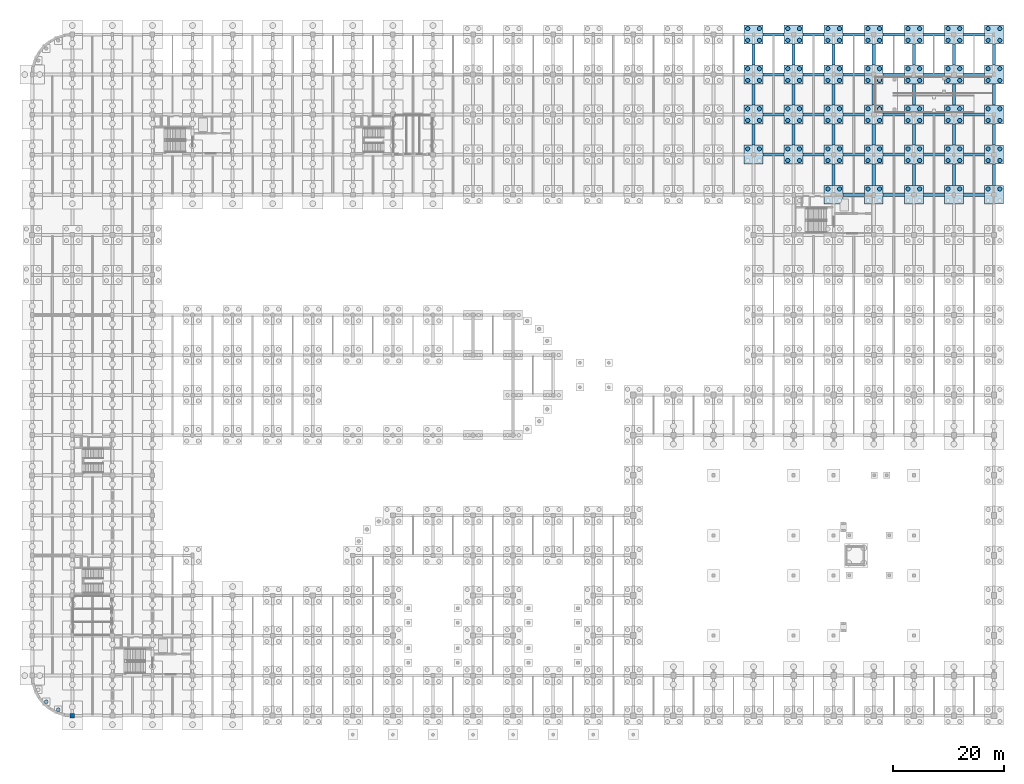
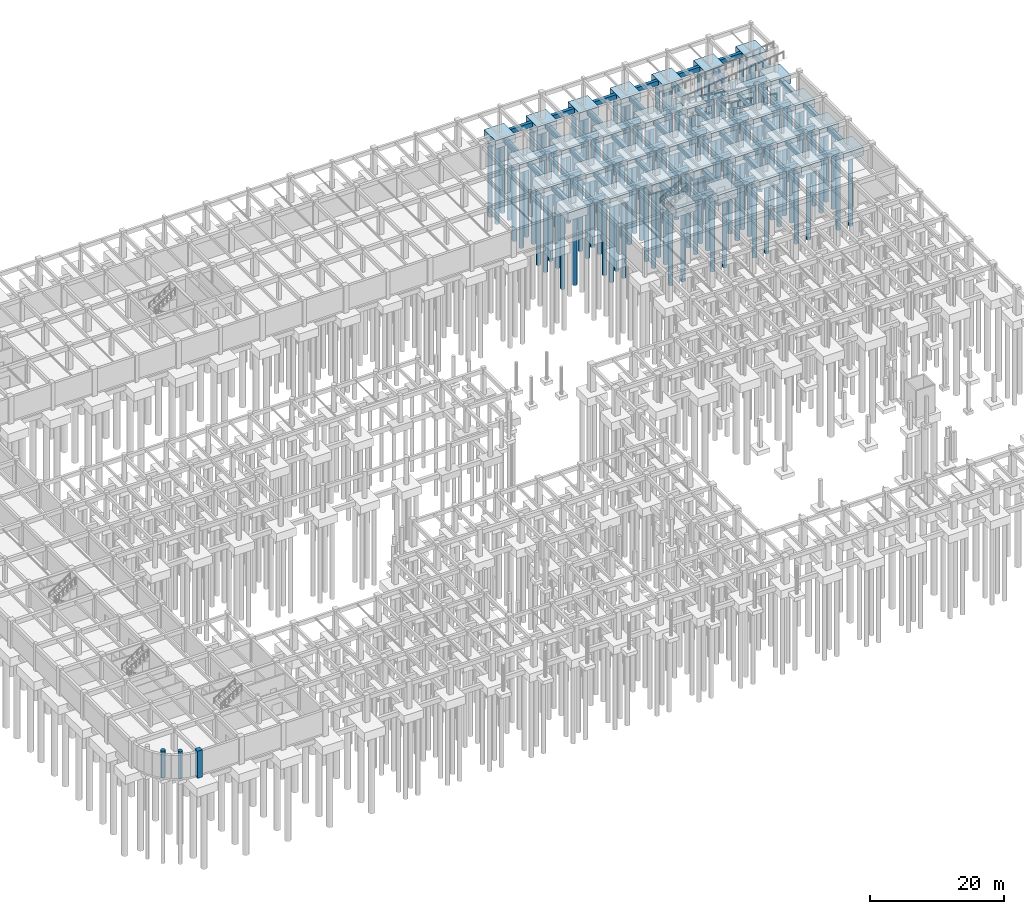
# One storey, part 13 of 47: 120 piles, 87 footings, 3 columns.
"""IFC4 building model written with IfcOpenShell, lengths in metres."""

from ifc_helpers import new_model, si_unit, direction, frame, origin, origin_2d, place, context, subcontext, project, spatial, rectangle, circle, extrude, material, material_profile, profile_set, type_object, element, save


model = new_model("IFC4")

# Units and contexts
model_context = context("Model", 3, precision=1e-05, world=origin(), true_north=direction((0.0, 1.0)))
body_context = subcontext(model_context, "Body", "Model", "MODEL_VIEW")
ifc_project = project(units=[si_unit("LENGTHUNIT", "METRE"), si_unit("AREAUNIT", "SQUARE_METRE"), si_unit("VOLUMEUNIT", "CUBIC_METRE"), si_unit("PLANEANGLEUNIT", "RADIAN"), si_unit("MASSUNIT", "GRAM", prefix="KILO")], contexts=[model_context])

# Site, building, storey
site_placement = place(None, origin())
site = spatial("IfcSite", under=ifc_project, at=site_placement, CompositionType="ELEMENT")
building_placement = place(site_placement, origin())
building = spatial("IfcBuilding", under=site, at=building_placement, Name="Thalmaran Polytechnic", CompositionType="ELEMENT")
storey_placement = place(building_placement, frame((0.0, 0.0, -4.5)))
storey = spatial("IfcBuildingStorey", under=building, at=storey_placement, Name="B1", CompositionType="ELEMENT", Elevation=-4.5)

# Footings
ifc_material_1 = material(Name="Concrete C40/50", Category="concrete")
ifc_material_profile_1 = material_profile(ifc_material_1, rectangle(XDim=0.550048828125, YDim=0.85009765625, at=origin_2d()), Name="RC 550x850")
ifc_profile_set_1 = profile_set([ifc_material_profile_1], Name="Concrete C40/50")
footing_type_1 = type_object("IfcFootingType", Name="FN-GB01", PredefinedType="FOOTING_BEAM", material=ifc_profile_set_1)
for number, where, z_axis, x_axis, name in (
    (1, (131.300048828125, 100.800048828125, -0.875), (1.0, 0.0, 0.0), (0.0, 1.0, 0.0), "Ground Tie Beam B1 X (18,14)"),
    (2, (129.60009765625, 102.5, -0.875), (0.0, 1.0, 0.0), (-1.0, 0.0, 0.0), "Ground Tie Beam B1 Y (18,14)"),
    (3, (131.300048828125, 108.0, -0.875), (1.0, 0.0, 0.0), (0.0, 1.0, 0.0), "Ground Tie Beam B1 X (18,15)"),
    (4, (129.60009765625, 109.699951171875, -0.875), (0.0, 1.0, 0.0), (-1.0, 0.0, 0.0), "Ground Tie Beam B1 Y (18,15)"),
    (5, (131.300048828125, 115.199951171875, -0.875), (1.0, 0.0, 0.0), (0.0, 1.0, 0.0), "Ground Tie Beam B1 X (18,16)"),
    (6, (129.60009765625, 116.89990234375, -0.875), (0.0, 1.0, 0.0), (-1.0, 0.0, 0.0), "Ground Tie Beam B1 Y (18,16)"),
    (7, (131.300048828125, 122.39990234375, -0.875), (1.0, 0.0, 0.0), (0.0, 1.0, 0.0), "Ground Tie Beam B1 X (18,17)"),
    (8, (138.5, 100.800048828125, -0.875), (1.0, 0.0, 0.0), (0.0, 1.0, 0.0), "Ground Tie Beam B1 X (19,14)"),
    (9, (136.800048828125, 102.5, -0.875), (0.0, 1.0, 0.0), (-1.0, 0.0, 0.0), "Ground Tie Beam B1 Y (19,14)"),
    (10, (138.5, 108.0, -0.875), (1.0, 0.0, 0.0), (0.0, 1.0, 0.0), "Ground Tie Beam B1 X (19,15)"),
    (11, (136.800048828125, 109.699951171875, -0.875), (0.0, 1.0, 0.0), (-1.0, 0.0, 0.0), "Ground Tie Beam B1 Y (19,15)"),
    (12, (138.5, 115.199951171875, -0.875), (1.0, 0.0, 0.0), (0.0, 1.0, 0.0), "Ground Tie Beam B1 X (19,16)"),
    (13, (136.800048828125, 116.89990234375, -0.875), (0.0, 1.0, 0.0), (-1.0, 0.0, 0.0), "Ground Tie Beam B1 Y (19,16)"),
    (14, (138.5, 122.39990234375, -0.875), (1.0, 0.0, 0.0), (0.0, 1.0, 0.0), "Ground Tie Beam B1 X (19,17)"),
    (15, (145.699951171875, 93.60009765625, -0.875), (1.0, 0.0, 0.0), (0.0, 1.0, 0.0), "Ground Tie Beam B1 X (20,13)"),
    (16, (144.0, 95.300048828125, -0.875), (0.0, 1.0, 0.0), (-1.0, 0.0, 0.0), "Ground Tie Beam B1 Y (20,13)"),
    (17, (145.699951171875, 100.800048828125, -0.875), (1.0, 0.0, 0.0), (0.0, 1.0, 0.0), "Ground Tie Beam B1 X (20,14)"),
    (18, (144.0, 102.5, -0.875), (0.0, 1.0, 0.0), (-1.0, 0.0, 0.0), "Ground Tie Beam B1 Y (20,14)"),
    (19, (145.699951171875, 108.0, -0.875), (1.0, 0.0, 0.0), (0.0, 1.0, 0.0), "Ground Tie Beam B1 X (20,15)"),
    (20, (144.0, 109.699951171875, -0.875), (0.0, 1.0, 0.0), (-1.0, 0.0, 0.0), "Ground Tie Beam B1 Y (20,15)"),
    (21, (145.699951171875, 115.199951171875, -0.875), (1.0, 0.0, 0.0), (0.0, 1.0, 0.0), "Ground Tie Beam B1 X (20,16)"),
    (22, (144.0, 116.89990234375, -0.875), (0.0, 1.0, 0.0), (-1.0, 0.0, 0.0), "Ground Tie Beam B1 Y (20,16)"),
    (23, (145.699951171875, 122.39990234375, -0.875), (1.0, 0.0, 0.0), (0.0, 1.0, 0.0), "Ground Tie Beam B1 X (20,17)"),
    (24, (152.89990234375, 93.60009765625, -0.875), (1.0, 0.0, 0.0), (0.0, 1.0, 0.0), "Ground Tie Beam B1 X (21,13)"),
    (25, (151.199951171875, 95.300048828125, -0.875), (0.0, 1.0, 0.0), (-1.0, 0.0, 0.0), "Ground Tie Beam B1 Y (21,13)"),
    (26, (152.89990234375, 100.800048828125, -0.875), (1.0, 0.0, 0.0), (0.0, 1.0, 0.0), "Ground Tie Beam B1 X (21,14)"),
    (27, (151.199951171875, 102.5, -0.875), (0.0, 1.0, 0.0), (-1.0, 0.0, 0.0), "Ground Tie Beam B1 Y (21,14)"),
    (28, (152.89990234375, 108.0, -0.875), (1.0, 0.0, 0.0), (0.0, 1.0, 0.0), "Ground Tie Beam B1 X (21,15)"),
    (29, (151.199951171875, 109.699951171875, -0.875), (0.0, 1.0, 0.0), (-1.0, 0.0, 0.0), "Ground Tie Beam B1 Y (21,15)"),
    (30, (152.89990234375, 115.199951171875, -0.875), (1.0, 0.0, 0.0), (0.0, 1.0, 0.0), "Ground Tie Beam B1 X (21,16)"),
    (31, (151.199951171875, 116.89990234375, -0.875), (0.0, 1.0, 0.0), (-1.0, 0.0, 0.0), "Ground Tie Beam B1 Y (21,16)"),
    (32, (152.89990234375, 122.39990234375, -0.875), (1.0, 0.0, 0.0), (0.0, 1.0, 0.0), "Ground Tie Beam B1 X (21,17)"),
):
    element("IfcFooting", number, at=place(storey_placement, frame(where, z_axis=z_axis, x_axis=x_axis)), inside=storey, type_object=footing_type_1, Name=name, PredefinedType="FOOTING_BEAM", context=body_context, shape_type="SweptSolid", body=[
        extrude(rectangle(XDim=0.550048828125, YDim=0.85009765625, at=origin_2d()), origin(), (0.0, 0.0, 1.0), 3.800048828125),
    ])
footing_1_placement = place(storey_placement, frame((160.10009765625, 93.60009765625, -0.875), z_axis=(1.0, 0.0, 0.0), x_axis=(0.0, 1.0, 0.0)))
element("IfcFooting", 33, at=footing_1_placement, inside=storey, type_object=footing_type_1, Name="Ground Tie Beam B1 X (22,13)", PredefinedType="FOOTING_BEAM", context=body_context, shape_type="SweptSolid", body=[
    extrude(rectangle(XDim=0.550048828125, YDim=0.85009765625, at=origin_2d()), origin(), (0.0, 0.0, 1.0), 3.7998046875),
])
footing_2_placement = place(storey_placement, frame((158.39990234375, 95.300048828125, -0.875), z_axis=(0.0, 1.0, 0.0), x_axis=(-1.0, 0.0, 0.0)))
element("IfcFooting", 34, at=footing_2_placement, inside=storey, type_object=footing_type_1, Name="Ground Tie Beam B1 Y (22,13)", PredefinedType="FOOTING_BEAM", context=body_context, shape_type="SweptSolid", body=[
    extrude(rectangle(XDim=0.550048828125, YDim=0.85009765625, at=origin_2d()), origin(), (0.0, 0.0, 1.0), 3.800048828125),
])
footing_3_placement = place(storey_placement, frame((160.10009765625, 100.800048828125, -0.875), z_axis=(1.0, 0.0, 0.0), x_axis=(0.0, 1.0, 0.0)))
element("IfcFooting", 35, at=footing_3_placement, inside=storey, type_object=footing_type_1, Name="Ground Tie Beam B1 X (22,14)", PredefinedType="FOOTING_BEAM", context=body_context, shape_type="SweptSolid", body=[
    extrude(rectangle(XDim=0.550048828125, YDim=0.85009765625, at=origin_2d()), origin(), (0.0, 0.0, 1.0), 3.7998046875),
])
footing_4_placement = place(storey_placement, frame((158.39990234375, 102.5, -0.875), z_axis=(0.0, 1.0, 0.0), x_axis=(-1.0, 0.0, 0.0)))
element("IfcFooting", 36, at=footing_4_placement, inside=storey, type_object=footing_type_1, Name="Ground Tie Beam B1 Y (22,14)", PredefinedType="FOOTING_BEAM", context=body_context, shape_type="SweptSolid", body=[
    extrude(rectangle(XDim=0.550048828125, YDim=0.85009765625, at=origin_2d()), origin(), (0.0, 0.0, 1.0), 3.800048828125),
])
footing_5_placement = place(storey_placement, frame((160.10009765625, 108.0, -0.875), z_axis=(1.0, 0.0, 0.0), x_axis=(0.0, 1.0, 0.0)))
element("IfcFooting", 37, at=footing_5_placement, inside=storey, type_object=footing_type_1, Name="Ground Tie Beam B1 X (22,15)", PredefinedType="FOOTING_BEAM", context=body_context, shape_type="SweptSolid", body=[
    extrude(rectangle(XDim=0.550048828125, YDim=0.85009765625, at=origin_2d()), origin(), (0.0, 0.0, 1.0), 3.7998046875),
])
footing_6_placement = place(storey_placement, frame((158.39990234375, 109.699951171875, -0.875), z_axis=(0.0, 1.0, 0.0), x_axis=(-1.0, 0.0, 0.0)))
element("IfcFooting", 38, at=footing_6_placement, inside=storey, type_object=footing_type_1, Name="Ground Tie Beam B1 Y (22,15)", PredefinedType="FOOTING_BEAM", context=body_context, shape_type="SweptSolid", body=[
    extrude(rectangle(XDim=0.550048828125, YDim=0.85009765625, at=origin_2d()), origin(), (0.0, 0.0, 1.0), 3.800048828125),
])
footing_7_placement = place(storey_placement, frame((160.10009765625, 115.199951171875, -0.875), z_axis=(1.0, 0.0, 0.0), x_axis=(0.0, 1.0, 0.0)))
element("IfcFooting", 39, at=footing_7_placement, inside=storey, type_object=footing_type_1, Name="Ground Tie Beam B1 X (22,16)", PredefinedType="FOOTING_BEAM", context=body_context, shape_type="SweptSolid", body=[
    extrude(rectangle(XDim=0.550048828125, YDim=0.85009765625, at=origin_2d()), origin(), (0.0, 0.0, 1.0), 3.7998046875),
])
footing_8_placement = place(storey_placement, frame((158.39990234375, 116.89990234375, -0.875), z_axis=(0.0, 1.0, 0.0), x_axis=(-1.0, 0.0, 0.0)))
element("IfcFooting", 40, at=footing_8_placement, inside=storey, type_object=footing_type_1, Name="Ground Tie Beam B1 Y (22,16)", PredefinedType="FOOTING_BEAM", context=body_context, shape_type="SweptSolid", body=[
    extrude(rectangle(XDim=0.550048828125, YDim=0.85009765625, at=origin_2d()), origin(), (0.0, 0.0, 1.0), 3.800048828125),
])
footing_9_placement = place(storey_placement, frame((160.10009765625, 122.39990234375, -0.875), z_axis=(1.0, 0.0, 0.0), x_axis=(0.0, 1.0, 0.0)))
element("IfcFooting", 41, at=footing_9_placement, inside=storey, type_object=footing_type_1, Name="Ground Tie Beam B1 X (22,17)", PredefinedType="FOOTING_BEAM", context=body_context, shape_type="SweptSolid", body=[
    extrude(rectangle(XDim=0.550048828125, YDim=0.85009765625, at=origin_2d()), origin(), (0.0, 0.0, 1.0), 3.7998046875),
])
for number, where, z_axis, x_axis, name in (
    (42, (167.300048828125, 93.60009765625, -0.875), (1.0, 0.0, 0.0), (0.0, 1.0, 0.0), "Ground Tie Beam B1 X (23,13)"),
    (43, (165.60009765625, 95.300048828125, -0.875), (0.0, 1.0, 0.0), (-1.0, 0.0, 0.0), "Ground Tie Beam B1 Y (23,13)"),
    (44, (167.300048828125, 100.800048828125, -0.875), (1.0, 0.0, 0.0), (0.0, 1.0, 0.0), "Ground Tie Beam B1 X (23,14)"),
    (45, (165.60009765625, 102.5, -0.875), (0.0, 1.0, 0.0), (-1.0, 0.0, 0.0), "Ground Tie Beam B1 Y (23,14)"),
    (46, (167.300048828125, 108.0, -0.875), (1.0, 0.0, 0.0), (0.0, 1.0, 0.0), "Ground Tie Beam B1 X (23,15)"),
    (47, (165.60009765625, 109.699951171875, -0.875), (0.0, 1.0, 0.0), (-1.0, 0.0, 0.0), "Ground Tie Beam B1 Y (23,15)"),
    (48, (167.300048828125, 115.199951171875, -0.875), (1.0, 0.0, 0.0), (0.0, 1.0, 0.0), "Ground Tie Beam B1 X (23,16)"),
    (49, (165.60009765625, 116.89990234375, -0.875), (0.0, 1.0, 0.0), (-1.0, 0.0, 0.0), "Ground Tie Beam B1 Y (23,16)"),
    (50, (167.300048828125, 122.39990234375, -0.875), (1.0, 0.0, 0.0), (0.0, 1.0, 0.0), "Ground Tie Beam B1 X (23,17)"),
    (51, (172.800048828125, 95.300048828125, -0.875), (0.0, 1.0, 0.0), (-1.0, 0.0, 0.0), "Ground Tie Beam B1 Y (24,13)"),
    (52, (172.800048828125, 102.5, -0.875), (0.0, 1.0, 0.0), (-1.0, 0.0, 0.0), "Ground Tie Beam B1 Y (24,14)"),
    (53, (172.800048828125, 109.699951171875, -0.875), (0.0, 1.0, 0.0), (-1.0, 0.0, 0.0), "Ground Tie Beam B1 Y (24,15)"),
    (54, (172.800048828125, 116.89990234375, -0.875), (0.0, 1.0, 0.0), (-1.0, 0.0, 0.0), "Ground Tie Beam B1 Y (24,16)"),
):
    element("IfcFooting", number, at=place(storey_placement, frame(where, z_axis=z_axis, x_axis=x_axis)), inside=storey, type_object=footing_type_1, Name=name, PredefinedType="FOOTING_BEAM", context=body_context, shape_type="SweptSolid", body=[
        extrude(rectangle(XDim=0.550048828125, YDim=0.85009765625, at=origin_2d()), origin(), (0.0, 0.0, 1.0), 3.800048828125),
    ])
footing_type_2 = type_object("IfcFootingType", Name="FN-PC01", PredefinedType="PILE_CAP", material=ifc_material_1)
for number, where, z_axis, x_axis, name in (
    (55, (129.60009765625, 100.800048828125, -1.949951171875), (0.0, 0.0, 1.0), (1.0, 0.0, 0.0), "Pile Cap PC01 (18,14)"),
    (56, (129.60009765625, 108.0, -1.949951171875), (0.0, 0.0, 1.0), (1.0, 0.0, 0.0), "Pile Cap PC01 (18,15)"),
    (57, (129.60009765625, 115.199951171875, -1.949951171875), (0.0, 0.0, 1.0), (1.0, 0.0, 0.0), "Pile Cap PC01 (18,16)"),
    (58, (129.60009765625, 122.39990234375, -1.949951171875), (0.0, 0.0, 1.0), (1.0, 0.0, 0.0), "Pile Cap PC01 (18,17)"),
    (59, (136.800048828125, 100.800048828125, -1.949951171875), (0.0, 0.0, 1.0), (1.0, 0.0, 0.0), "Pile Cap PC01 (19,14)"),
    (60, (136.800048828125, 108.0, -1.949951171875), (0.0, 0.0, 1.0), (1.0, 0.0, 0.0), "Pile Cap PC01 (19,15)"),
    (61, (136.800048828125, 115.199951171875, -1.949951171875), (0.0, 0.0, 1.0), (1.0, 0.0, 0.0), "Pile Cap PC01 (19,16)"),
    (62, (136.800048828125, 122.39990234375, -1.949951171875), (0.0, 0.0, 1.0), (1.0, 0.0, 0.0), "Pile Cap PC01 (19,17)"),
    (63, (144.0, 93.60009765625, -1.949951171875), (0.0, 0.0, 1.0), (1.0, 0.0, 0.0), "Pile Cap PC01 (20,13)"),
    (64, (144.0, 100.800048828125, -1.949951171875), (0.0, 0.0, 1.0), (1.0, 0.0, 0.0), "Pile Cap PC01 (20,14)"),
    (65, (144.0, 108.0, -1.949951171875), (0.0, 0.0, 1.0), (1.0, 0.0, 0.0), "Pile Cap PC01 (20,15)"),
    (66, (144.0, 115.199951171875, -1.949951171875), (0.0, 0.0, 1.0), (1.0, 0.0, 0.0), "Pile Cap PC01 (20,16)"),
    (67, (144.0, 122.39990234375, -1.949951171875), (0.0, 0.0, 1.0), (1.0, 0.0, 0.0), "Pile Cap PC01 (20,17)"),
    (68, (151.199951171875, 93.60009765625, -1.949951171875), (0.0, 0.0, 1.0), (1.0, 0.0, 0.0), "Pile Cap PC01 (21,13)"),
    (69, (151.199951171875, 100.800048828125, -1.949951171875), (0.0, 0.0, 1.0), (1.0, 0.0, 0.0), "Pile Cap PC01 (21,14)"),
    (70, (151.199951171875, 108.0, -1.949951171875), (0.0, 0.0, 1.0), (1.0, 0.0, 0.0), "Pile Cap PC01 (21,15)"),
    (71, (151.199951171875, 115.199951171875, -1.949951171875), (0.0, 0.0, 1.0), (1.0, 0.0, 0.0), "Pile Cap PC01 (21,16)"),
    (72, (151.199951171875, 122.39990234375, -1.949951171875), (0.0, 0.0, 1.0), (1.0, 0.0, 0.0), "Pile Cap PC01 (21,17)"),
    (73, (158.39990234375, 93.60009765625, -1.949951171875), (0.0, 0.0, 1.0), (1.0, 0.0, 0.0), "Pile Cap PC01 (22,13)"),
    (74, (158.39990234375, 100.800048828125, -1.949951171875), (0.0, 0.0, 1.0), (1.0, 0.0, 0.0), "Pile Cap PC01 (22,14)"),
    (75, (158.39990234375, 108.0, -1.949951171875), (0.0, 0.0, 1.0), (1.0, 0.0, 0.0), "Pile Cap PC01 (22,15)"),
    (76, (158.39990234375, 115.199951171875, -1.949951171875), (0.0, 0.0, 1.0), (1.0, 0.0, 0.0), "Pile Cap PC01 (22,16)"),
    (77, (158.39990234375, 122.39990234375, -1.949951171875), (0.0, 0.0, 1.0), (1.0, 0.0, 0.0), "Pile Cap PC01 (22,17)"),
    (78, (165.60009765625, 93.60009765625, -1.949951171875), (0.0, 0.0, 1.0), (1.0, 0.0, 0.0), "Pile Cap PC01 (23,13)"),
    (79, (165.60009765625, 100.800048828125, -1.949951171875), (0.0, 0.0, 1.0), (1.0, 0.0, 0.0), "Pile Cap PC01 (23,14)"),
    (80, (165.60009765625, 108.0, -1.949951171875), (0.0, 0.0, 1.0), (1.0, 0.0, 0.0), "Pile Cap PC01 (23,15)"),
    (81, (165.60009765625, 115.199951171875, -1.949951171875), (0.0, 0.0, 1.0), (1.0, 0.0, 0.0), "Pile Cap PC01 (23,16)"),
    (82, (165.60009765625, 122.39990234375, -1.949951171875), (0.0, 0.0, 1.0), (1.0, 0.0, 0.0), "Pile Cap PC01 (23,17)"),
    (83, (172.800048828125, 93.60009765625, -1.949951171875), (0.0, 0.0, 1.0), (1.0, 0.0, 0.0), "Pile Cap PC01 (24,13)"),
    (84, (172.800048828125, 100.800048828125, -1.949951171875), (0.0, 0.0, 1.0), (1.0, 0.0, 0.0), "Pile Cap PC01 (24,14)"),
    (85, (172.800048828125, 108.0, -1.949951171875), (0.0, 0.0, 1.0), (1.0, 0.0, 0.0), "Pile Cap PC01 (24,15)"),
    (86, (172.800048828125, 115.199951171875, -1.949951171875), (0.0, 0.0, 1.0), (1.0, 0.0, 0.0), "Pile Cap PC01 (24,16)"),
    (87, (172.800048828125, 122.39990234375, -1.949951171875), (0.0, 0.0, 1.0), (1.0, 0.0, 0.0), "Pile Cap PC01 (24,17)"),
):
    element("IfcFooting", number, at=place(storey_placement, frame(where, z_axis=z_axis, x_axis=x_axis)), inside=storey, type_object=footing_type_2, Name=name, PredefinedType="PILE_CAP", context=body_context, shape_type="SweptSolid", body=[
        extrude(rectangle(XDim=3.39990234375, YDim=3.39990234375, at=origin_2d()), origin(), (0.0, 0.0, 1.0), 1.5),
    ])

# Piles
ifc_material_2 = material(Name="Concrete C35/45", Category="concrete")
ifc_material_profile_2 = material_profile(ifc_material_2, circle(Radius=0.375, at=origin_2d()), Name="RC 750 DIA")
ifc_profile_set_2 = profile_set([ifc_material_profile_2], Name="Concrete C35/45")
pile_type = type_object("IfcPileType", Name="PL-BP03", PredefinedType="BORED", material=ifc_profile_set_2)
for number, where, z_axis, x_axis, name in (
    (88, (128.550048828125, 101.85009765625, -1.949951171875), (0.0, 0.0, -1.0), (1.0, 0.0, 0.0), "Bored Pile BP03 (18,14)-2"),
    (89, (130.64990234375, 101.85009765625, -1.949951171875), (0.0, 0.0, -1.0), (1.0, 0.0, 0.0), "Bored Pile BP03 (18,14)-4"),
    (90, (128.550048828125, 106.949951171875, -1.949951171875), (0.0, 0.0, -1.0), (1.0, 0.0, 0.0), "Bored Pile BP03 (18,15)-1"),
    (91, (128.550048828125, 109.050048828125, -1.949951171875), (0.0, 0.0, -1.0), (1.0, 0.0, 0.0), "Bored Pile BP03 (18,15)-2"),
    (92, (130.64990234375, 106.949951171875, -1.949951171875), (0.0, 0.0, -1.0), (1.0, 0.0, 0.0), "Bored Pile BP03 (18,15)-3"),
    (93, (130.64990234375, 109.050048828125, -1.949951171875), (0.0, 0.0, -1.0), (1.0, 0.0, 0.0), "Bored Pile BP03 (18,15)-4"),
    (94, (128.550048828125, 114.14990234375, -1.949951171875), (0.0, 0.0, -1.0), (1.0, 0.0, 0.0), "Bored Pile BP03 (18,16)-1"),
    (95, (128.550048828125, 116.25, -1.949951171875), (0.0, 0.0, -1.0), (1.0, 0.0, 0.0), "Bored Pile BP03 (18,16)-2"),
    (96, (130.64990234375, 114.14990234375, -1.949951171875), (0.0, 0.0, -1.0), (1.0, 0.0, 0.0), "Bored Pile BP03 (18,16)-3"),
    (97, (130.64990234375, 116.25, -1.949951171875), (0.0, 0.0, -1.0), (1.0, 0.0, 0.0), "Bored Pile BP03 (18,16)-4"),
    (98, (128.550048828125, 121.35009765625, -1.949951171875), (0.0, 0.0, -1.0), (1.0, 0.0, 0.0), "Bored Pile BP03 (18,17)-1"),
    (99, (128.550048828125, 123.449951171875, -1.949951171875), (0.0, 0.0, -1.0), (1.0, 0.0, 0.0), "Bored Pile BP03 (18,17)-2"),
    (100, (130.64990234375, 121.35009765625, -1.949951171875), (0.0, 0.0, -1.0), (1.0, 0.0, 0.0), "Bored Pile BP03 (18,17)-3"),
    (101, (130.64990234375, 123.449951171875, -1.949951171875), (0.0, 0.0, -1.0), (1.0, 0.0, 0.0), "Bored Pile BP03 (18,17)-4"),
    (102, (135.75, 99.75, -1.949951171875), (0.0, 0.0, -1.0), (1.0, 0.0, 0.0), "Bored Pile BP03 (19,14)-1"),
    (103, (135.75, 101.85009765625, -1.949951171875), (0.0, 0.0, -1.0), (1.0, 0.0, 0.0), "Bored Pile BP03 (19,14)-2"),
    (104, (137.85009765625, 99.75, -1.949951171875), (0.0, 0.0, -1.0), (1.0, 0.0, 0.0), "Bored Pile BP03 (19,14)-3"),
    (105, (137.85009765625, 101.85009765625, -1.949951171875), (0.0, 0.0, -1.0), (1.0, 0.0, 0.0), "Bored Pile BP03 (19,14)-4"),
    (106, (135.75, 106.949951171875, -1.949951171875), (0.0, 0.0, -1.0), (1.0, 0.0, 0.0), "Bored Pile BP03 (19,15)-1"),
    (107, (135.75, 109.050048828125, -1.949951171875), (0.0, 0.0, -1.0), (1.0, 0.0, 0.0), "Bored Pile BP03 (19,15)-2"),
    (108, (137.85009765625, 106.949951171875, -1.949951171875), (0.0, 0.0, -1.0), (1.0, 0.0, 0.0), "Bored Pile BP03 (19,15)-3"),
    (109, (137.85009765625, 109.050048828125, -1.949951171875), (0.0, 0.0, -1.0), (1.0, 0.0, 0.0), "Bored Pile BP03 (19,15)-4"),
    (110, (135.75, 114.14990234375, -1.949951171875), (0.0, 0.0, -1.0), (1.0, 0.0, 0.0), "Bored Pile BP03 (19,16)-1"),
    (111, (135.75, 116.25, -1.949951171875), (0.0, 0.0, -1.0), (1.0, 0.0, 0.0), "Bored Pile BP03 (19,16)-2"),
    (112, (137.85009765625, 114.14990234375, -1.949951171875), (0.0, 0.0, -1.0), (1.0, 0.0, 0.0), "Bored Pile BP03 (19,16)-3"),
    (113, (137.85009765625, 116.25, -1.949951171875), (0.0, 0.0, -1.0), (1.0, 0.0, 0.0), "Bored Pile BP03 (19,16)-4"),
    (114, (135.75, 121.35009765625, -1.949951171875), (0.0, 0.0, -1.0), (1.0, 0.0, 0.0), "Bored Pile BP03 (19,17)-1"),
    (115, (135.75, 123.449951171875, -1.949951171875), (0.0, 0.0, -1.0), (1.0, 0.0, 0.0), "Bored Pile BP03 (19,17)-2"),
    (116, (137.85009765625, 121.35009765625, -1.949951171875), (0.0, 0.0, -1.0), (1.0, 0.0, 0.0), "Bored Pile BP03 (19,17)-3"),
    (117, (137.85009765625, 123.449951171875, -1.949951171875), (0.0, 0.0, -1.0), (1.0, 0.0, 0.0), "Bored Pile BP03 (19,17)-4"),
    (118, (142.949951171875, 94.64990234375, -1.949951171875), (0.0, 0.0, -1.0), (1.0, 0.0, 0.0), "Bored Pile BP03 (20,13)-2"),
    (119, (145.050048828125, 94.64990234375, -1.949951171875), (0.0, 0.0, -1.0), (1.0, 0.0, 0.0), "Bored Pile BP03 (20,13)-4"),
    (120, (142.949951171875, 99.75, -1.949951171875), (0.0, 0.0, -1.0), (1.0, 0.0, 0.0), "Bored Pile BP03 (20,14)-1"),
    (121, (142.949951171875, 101.85009765625, -1.949951171875), (0.0, 0.0, -1.0), (1.0, 0.0, 0.0), "Bored Pile BP03 (20,14)-2"),
    (122, (145.050048828125, 99.75, -1.949951171875), (0.0, 0.0, -1.0), (1.0, 0.0, 0.0), "Bored Pile BP03 (20,14)-3"),
    (123, (145.050048828125, 101.85009765625, -1.949951171875), (0.0, 0.0, -1.0), (1.0, 0.0, 0.0), "Bored Pile BP03 (20,14)-4"),
    (124, (142.949951171875, 106.949951171875, -1.949951171875), (0.0, 0.0, -1.0), (1.0, 0.0, 0.0), "Bored Pile BP03 (20,15)-1"),
    (125, (142.949951171875, 109.050048828125, -1.949951171875), (0.0, 0.0, -1.0), (1.0, 0.0, 0.0), "Bored Pile BP03 (20,15)-2"),
    (126, (145.050048828125, 106.949951171875, -1.949951171875), (0.0, 0.0, -1.0), (1.0, 0.0, 0.0), "Bored Pile BP03 (20,15)-3"),
    (127, (145.050048828125, 109.050048828125, -1.949951171875), (0.0, 0.0, -1.0), (1.0, 0.0, 0.0), "Bored Pile BP03 (20,15)-4"),
    (128, (142.949951171875, 114.14990234375, -1.949951171875), (0.0, 0.0, -1.0), (1.0, 0.0, 0.0), "Bored Pile BP03 (20,16)-1"),
    (129, (142.949951171875, 116.25, -1.949951171875), (0.0, 0.0, -1.0), (1.0, 0.0, 0.0), "Bored Pile BP03 (20,16)-2"),
    (130, (145.050048828125, 114.14990234375, -1.949951171875), (0.0, 0.0, -1.0), (1.0, 0.0, 0.0), "Bored Pile BP03 (20,16)-3"),
    (131, (145.050048828125, 116.25, -1.949951171875), (0.0, 0.0, -1.0), (1.0, 0.0, 0.0), "Bored Pile BP03 (20,16)-4"),
    (132, (142.949951171875, 121.35009765625, -1.949951171875), (0.0, 0.0, -1.0), (1.0, 0.0, 0.0), "Bored Pile BP03 (20,17)-1"),
    (133, (142.949951171875, 123.449951171875, -1.949951171875), (0.0, 0.0, -1.0), (1.0, 0.0, 0.0), "Bored Pile BP03 (20,17)-2"),
    (134, (145.050048828125, 121.35009765625, -1.949951171875), (0.0, 0.0, -1.0), (1.0, 0.0, 0.0), "Bored Pile BP03 (20,17)-3"),
    (135, (145.050048828125, 123.449951171875, -1.949951171875), (0.0, 0.0, -1.0), (1.0, 0.0, 0.0), "Bored Pile BP03 (20,17)-4"),
    (136, (150.14990234375, 94.64990234375, -1.949951171875), (0.0, 0.0, -1.0), (1.0, 0.0, 0.0), "Bored Pile BP03 (21,13)-2"),
    (137, (152.25, 94.64990234375, -1.949951171875), (0.0, 0.0, -1.0), (1.0, 0.0, 0.0), "Bored Pile BP03 (21,13)-4"),
    (138, (150.14990234375, 99.75, -1.949951171875), (0.0, 0.0, -1.0), (1.0, 0.0, 0.0), "Bored Pile BP03 (21,14)-1"),
    (139, (150.14990234375, 101.85009765625, -1.949951171875), (0.0, 0.0, -1.0), (1.0, 0.0, 0.0), "Bored Pile BP03 (21,14)-2"),
    (140, (152.25, 99.75, -1.949951171875), (0.0, 0.0, -1.0), (1.0, 0.0, 0.0), "Bored Pile BP03 (21,14)-3"),
    (141, (152.25, 101.85009765625, -1.949951171875), (0.0, 0.0, -1.0), (1.0, 0.0, 0.0), "Bored Pile BP03 (21,14)-4"),
    (142, (150.14990234375, 106.949951171875, -1.949951171875), (0.0, 0.0, -1.0), (1.0, 0.0, 0.0), "Bored Pile BP03 (21,15)-1"),
    (143, (150.14990234375, 109.050048828125, -1.949951171875), (0.0, 0.0, -1.0), (1.0, 0.0, 0.0), "Bored Pile BP03 (21,15)-2"),
    (144, (152.25, 106.949951171875, -1.949951171875), (0.0, 0.0, -1.0), (1.0, 0.0, 0.0), "Bored Pile BP03 (21,15)-3"),
    (145, (152.25, 109.050048828125, -1.949951171875), (0.0, 0.0, -1.0), (1.0, 0.0, 0.0), "Bored Pile BP03 (21,15)-4"),
    (146, (150.14990234375, 114.14990234375, -1.949951171875), (0.0, 0.0, -1.0), (1.0, 0.0, 0.0), "Bored Pile BP03 (21,16)-1"),
    (147, (150.14990234375, 116.25, -1.949951171875), (0.0, 0.0, -1.0), (1.0, 0.0, 0.0), "Bored Pile BP03 (21,16)-2"),
    (148, (152.25, 114.14990234375, -1.949951171875), (0.0, 0.0, -1.0), (1.0, 0.0, 0.0), "Bored Pile BP03 (21,16)-3"),
    (149, (152.25, 116.25, -1.949951171875), (0.0, 0.0, -1.0), (1.0, 0.0, 0.0), "Bored Pile BP03 (21,16)-4"),
    (150, (150.14990234375, 121.35009765625, -1.949951171875), (0.0, 0.0, -1.0), (1.0, 0.0, 0.0), "Bored Pile BP03 (21,17)-1"),
    (151, (150.14990234375, 123.449951171875, -1.949951171875), (0.0, 0.0, -1.0), (1.0, 0.0, 0.0), "Bored Pile BP03 (21,17)-2"),
    (152, (152.25, 121.35009765625, -1.949951171875), (0.0, 0.0, -1.0), (1.0, 0.0, 0.0), "Bored Pile BP03 (21,17)-3"),
    (153, (152.25, 123.449951171875, -1.949951171875), (0.0, 0.0, -1.0), (1.0, 0.0, 0.0), "Bored Pile BP03 (21,17)-4"),
    (154, (157.35009765625, 94.64990234375, -1.949951171875), (0.0, 0.0, -1.0), (1.0, 0.0, 0.0), "Bored Pile BP03 (22,13)-2"),
    (155, (159.449951171875, 94.64990234375, -1.949951171875), (0.0, 0.0, -1.0), (1.0, 0.0, 0.0), "Bored Pile BP03 (22,13)-4"),
    (156, (157.35009765625, 99.75, -1.949951171875), (0.0, 0.0, -1.0), (1.0, 0.0, 0.0), "Bored Pile BP03 (22,14)-1"),
    (157, (157.35009765625, 101.85009765625, -1.949951171875), (0.0, 0.0, -1.0), (1.0, 0.0, 0.0), "Bored Pile BP03 (22,14)-2"),
    (158, (159.449951171875, 99.75, -1.949951171875), (0.0, 0.0, -1.0), (1.0, 0.0, 0.0), "Bored Pile BP03 (22,14)-3"),
    (159, (159.449951171875, 101.85009765625, -1.949951171875), (0.0, 0.0, -1.0), (1.0, 0.0, 0.0), "Bored Pile BP03 (22,14)-4"),
    (160, (157.35009765625, 106.949951171875, -1.949951171875), (0.0, 0.0, -1.0), (1.0, 0.0, 0.0), "Bored Pile BP03 (22,15)-1"),
    (161, (157.35009765625, 109.050048828125, -1.949951171875), (0.0, 0.0, -1.0), (1.0, 0.0, 0.0), "Bored Pile BP03 (22,15)-2"),
    (162, (159.449951171875, 106.949951171875, -1.949951171875), (0.0, 0.0, -1.0), (1.0, 0.0, 0.0), "Bored Pile BP03 (22,15)-3"),
    (163, (159.449951171875, 109.050048828125, -1.949951171875), (0.0, 0.0, -1.0), (1.0, 0.0, 0.0), "Bored Pile BP03 (22,15)-4"),
    (164, (157.35009765625, 114.14990234375, -1.949951171875), (0.0, 0.0, -1.0), (1.0, 0.0, 0.0), "Bored Pile BP03 (22,16)-1"),
    (165, (157.35009765625, 116.25, -1.949951171875), (0.0, 0.0, -1.0), (1.0, 0.0, 0.0), "Bored Pile BP03 (22,16)-2"),
    (166, (159.449951171875, 114.14990234375, -1.949951171875), (0.0, 0.0, -1.0), (1.0, 0.0, 0.0), "Bored Pile BP03 (22,16)-3"),
    (167, (159.449951171875, 116.25, -1.949951171875), (0.0, 0.0, -1.0), (1.0, 0.0, 0.0), "Bored Pile BP03 (22,16)-4"),
    (168, (157.35009765625, 121.35009765625, -1.949951171875), (0.0, 0.0, -1.0), (1.0, 0.0, 0.0), "Bored Pile BP03 (22,17)-1"),
    (169, (157.35009765625, 123.449951171875, -1.949951171875), (0.0, 0.0, -1.0), (1.0, 0.0, 0.0), "Bored Pile BP03 (22,17)-2"),
    (170, (159.449951171875, 121.35009765625, -1.949951171875), (0.0, 0.0, -1.0), (1.0, 0.0, 0.0), "Bored Pile BP03 (22,17)-3"),
    (171, (159.449951171875, 123.449951171875, -1.949951171875), (0.0, 0.0, -1.0), (1.0, 0.0, 0.0), "Bored Pile BP03 (22,17)-4"),
    (172, (164.550048828125, 94.64990234375, -1.949951171875), (0.0, 0.0, -1.0), (1.0, 0.0, 0.0), "Bored Pile BP03 (23,13)-2"),
    (173, (166.64990234375, 94.64990234375, -1.949951171875), (0.0, 0.0, -1.0), (1.0, 0.0, 0.0), "Bored Pile BP03 (23,13)-4"),
    (174, (164.550048828125, 99.75, -1.949951171875), (0.0, 0.0, -1.0), (1.0, 0.0, 0.0), "Bored Pile BP03 (23,14)-1"),
    (175, (164.550048828125, 101.85009765625, -1.949951171875), (0.0, 0.0, -1.0), (1.0, 0.0, 0.0), "Bored Pile BP03 (23,14)-2"),
    (176, (166.64990234375, 99.75, -1.949951171875), (0.0, 0.0, -1.0), (1.0, 0.0, 0.0), "Bored Pile BP03 (23,14)-3"),
    (177, (166.64990234375, 101.85009765625, -1.949951171875), (0.0, 0.0, -1.0), (1.0, 0.0, 0.0), "Bored Pile BP03 (23,14)-4"),
    (178, (164.550048828125, 106.949951171875, -1.949951171875), (0.0, 0.0, -1.0), (1.0, 0.0, 0.0), "Bored Pile BP03 (23,15)-1"),
    (179, (164.550048828125, 109.050048828125, -1.949951171875), (0.0, 0.0, -1.0), (1.0, 0.0, 0.0), "Bored Pile BP03 (23,15)-2"),
    (180, (166.64990234375, 106.949951171875, -1.949951171875), (0.0, 0.0, -1.0), (1.0, 0.0, 0.0), "Bored Pile BP03 (23,15)-3"),
    (181, (166.64990234375, 109.050048828125, -1.949951171875), (0.0, 0.0, -1.0), (1.0, 0.0, 0.0), "Bored Pile BP03 (23,15)-4"),
    (182, (164.550048828125, 114.14990234375, -1.949951171875), (0.0, 0.0, -1.0), (1.0, 0.0, 0.0), "Bored Pile BP03 (23,16)-1"),
    (183, (164.550048828125, 116.25, -1.949951171875), (0.0, 0.0, -1.0), (1.0, 0.0, 0.0), "Bored Pile BP03 (23,16)-2"),
    (184, (166.64990234375, 114.14990234375, -1.949951171875), (0.0, 0.0, -1.0), (1.0, 0.0, 0.0), "Bored Pile BP03 (23,16)-3"),
    (185, (166.64990234375, 116.25, -1.949951171875), (0.0, 0.0, -1.0), (1.0, 0.0, 0.0), "Bored Pile BP03 (23,16)-4"),
    (186, (164.550048828125, 121.35009765625, -1.949951171875), (0.0, 0.0, -1.0), (1.0, 0.0, 0.0), "Bored Pile BP03 (23,17)-1"),
    (187, (164.550048828125, 123.449951171875, -1.949951171875), (0.0, 0.0, -1.0), (1.0, 0.0, 0.0), "Bored Pile BP03 (23,17)-2"),
    (188, (166.64990234375, 121.35009765625, -1.949951171875), (0.0, 0.0, -1.0), (1.0, 0.0, 0.0), "Bored Pile BP03 (23,17)-3"),
    (189, (166.64990234375, 123.449951171875, -1.949951171875), (0.0, 0.0, -1.0), (1.0, 0.0, 0.0), "Bored Pile BP03 (23,17)-4"),
    (190, (171.75, 94.64990234375, -1.949951171875), (0.0, 0.0, -1.0), (1.0, 0.0, 0.0), "Bored Pile BP03 (24,13)-2"),
    (191, (173.85009765625, 94.64990234375, -1.949951171875), (0.0, 0.0, -1.0), (1.0, 0.0, 0.0), "Bored Pile BP03 (24,13)-4"),
    (192, (171.75, 99.75, -1.949951171875), (0.0, 0.0, -1.0), (1.0, 0.0, 0.0), "Bored Pile BP03 (24,14)-1"),
    (193, (171.75, 101.85009765625, -1.949951171875), (0.0, 0.0, -1.0), (1.0, 0.0, 0.0), "Bored Pile BP03 (24,14)-2"),
    (194, (173.85009765625, 99.75, -1.949951171875), (0.0, 0.0, -1.0), (1.0, 0.0, 0.0), "Bored Pile BP03 (24,14)-3"),
    (195, (173.85009765625, 101.85009765625, -1.949951171875), (0.0, 0.0, -1.0), (1.0, 0.0, 0.0), "Bored Pile BP03 (24,14)-4"),
    (196, (171.75, 106.949951171875, -1.949951171875), (0.0, 0.0, -1.0), (1.0, 0.0, 0.0), "Bored Pile BP03 (24,15)-1"),
    (197, (171.75, 109.050048828125, -1.949951171875), (0.0, 0.0, -1.0), (1.0, 0.0, 0.0), "Bored Pile BP03 (24,15)-2"),
    (198, (173.85009765625, 106.949951171875, -1.949951171875), (0.0, 0.0, -1.0), (1.0, 0.0, 0.0), "Bored Pile BP03 (24,15)-3"),
    (199, (173.85009765625, 109.050048828125, -1.949951171875), (0.0, 0.0, -1.0), (1.0, 0.0, 0.0), "Bored Pile BP03 (24,15)-4"),
    (200, (171.75, 114.14990234375, -1.949951171875), (0.0, 0.0, -1.0), (1.0, 0.0, 0.0), "Bored Pile BP03 (24,16)-1"),
    (201, (171.75, 116.25, -1.949951171875), (0.0, 0.0, -1.0), (1.0, 0.0, 0.0), "Bored Pile BP03 (24,16)-2"),
    (202, (173.85009765625, 114.14990234375, -1.949951171875), (0.0, 0.0, -1.0), (1.0, 0.0, 0.0), "Bored Pile BP03 (24,16)-3"),
    (203, (173.85009765625, 116.25, -1.949951171875), (0.0, 0.0, -1.0), (1.0, 0.0, 0.0), "Bored Pile BP03 (24,16)-4"),
    (204, (171.75, 121.35009765625, -1.949951171875), (0.0, 0.0, -1.0), (1.0, 0.0, 0.0), "Bored Pile BP03 (24,17)-1"),
    (205, (171.75, 123.449951171875, -1.949951171875), (0.0, 0.0, -1.0), (1.0, 0.0, 0.0), "Bored Pile BP03 (24,17)-2"),
    (206, (173.85009765625, 121.35009765625, -1.949951171875), (0.0, 0.0, -1.0), (1.0, 0.0, 0.0), "Bored Pile BP03 (24,17)-3"),
    (207, (173.85009765625, 123.449951171875, -1.949951171875), (0.0, 0.0, -1.0), (1.0, 0.0, 0.0), "Bored Pile BP03 (24,17)-4"),
):
    element("IfcPile", number, at=place(storey_placement, frame(where, z_axis=z_axis, x_axis=x_axis)), inside=storey, type_object=pile_type, Name=name, PredefinedType="BORED", context=body_context, shape_type="SweptSolid", body=[
        extrude(circle(Radius=0.375, at=origin_2d()), origin(), (0.0, 0.0, 1.0), 14.050048828125),
    ])

# Columns
ifc_material_3 = material(Name="Concrete C50/60", Category="concrete")
ifc_material_profile_3 = material_profile(ifc_material_3, rectangle(XDim=0.800048828125, YDim=0.800048828125, at=origin_2d()), Name="RC 800x800")
ifc_profile_set_3 = profile_set([ifc_material_profile_3], Name="Concrete C50/60")
column_type_1 = type_object("IfcColumnType", Name="COL-C03", PredefinedType="COLUMN", material=ifc_profile_set_3)
column_placement = place(storey_placement, frame((7.199951171875, 0.0, -0.449951171875), z_axis=(0.0, 0.0, 1.0), x_axis=(1.0, 0.0, 0.0)))
element("IfcColumn", 208, at=column_placement, inside=storey, type_object=column_type_1, Name="Column C03 B1 (1,0)", PredefinedType="COLUMN", context=body_context, shape_type="SweptSolid", body=[
    extrude(rectangle(XDim=0.800048828125, YDim=0.800048828125, at=origin_2d()), origin(), (0.0, 0.0, 1.0), 4.949951171875),
])
ifc_material_profile_4 = material_profile(ifc_material_1, circle(Radius=0.35009765625, at=origin_2d()), Name="RC 700 DIA")
ifc_profile_set_4 = profile_set([ifc_material_profile_4], Name="Concrete C40/50")
column_type_2 = type_object("IfcColumnType", Name="COL-C15", PredefinedType="COLUMN", material=ifc_profile_set_4)
for number, where, z_axis, x_axis, name in (
    (209, (2.51904296875, 2.51904296875, -0.449951171875), (0.0, 0.0, 1.0), (1.0, 0.0, 0.0), "Prow Column SWP2 B1"),
    (210, (4.666748046875, 1.083984375, -0.449951171875), (0.0, 0.0, 1.0), (1.0, 0.0, 0.0), "Prow Column SWP3 B1"),
):
    element("IfcColumn", number, at=place(storey_placement, frame(where, z_axis=z_axis, x_axis=x_axis)), inside=storey, type_object=column_type_2, Name=name, PredefinedType="COLUMN", context=body_context, shape_type="SweptSolid", body=[
        extrude(circle(Radius=0.35009765625, at=origin_2d()), origin(), (0.0, 0.0, 1.0), 4.949951171875),
    ])

save(model, "model.ifc")
